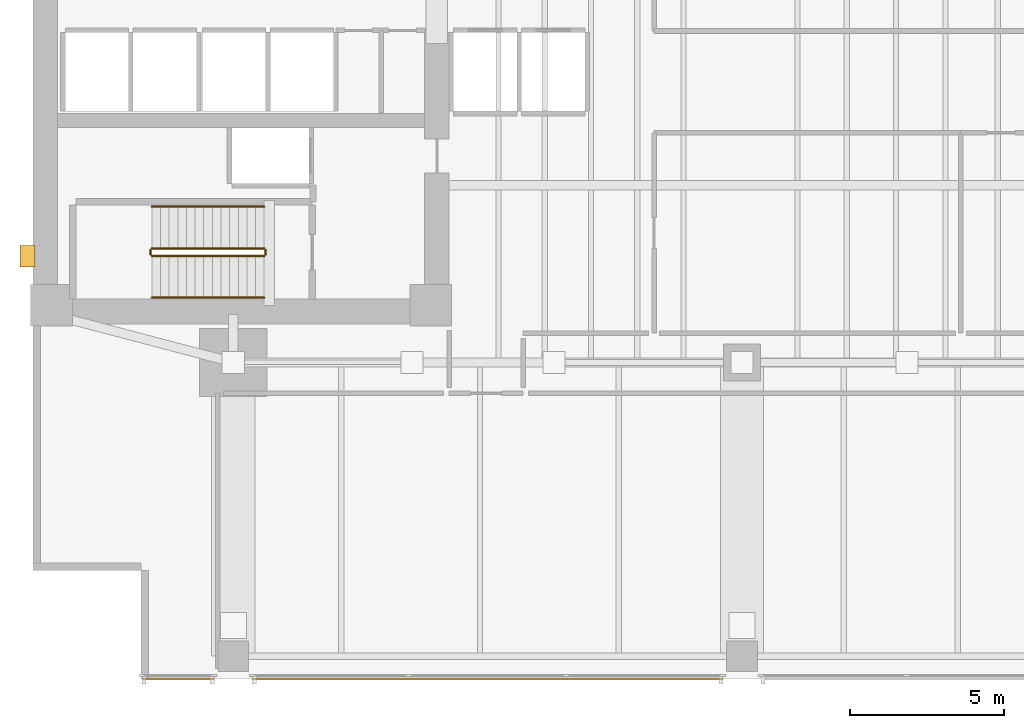
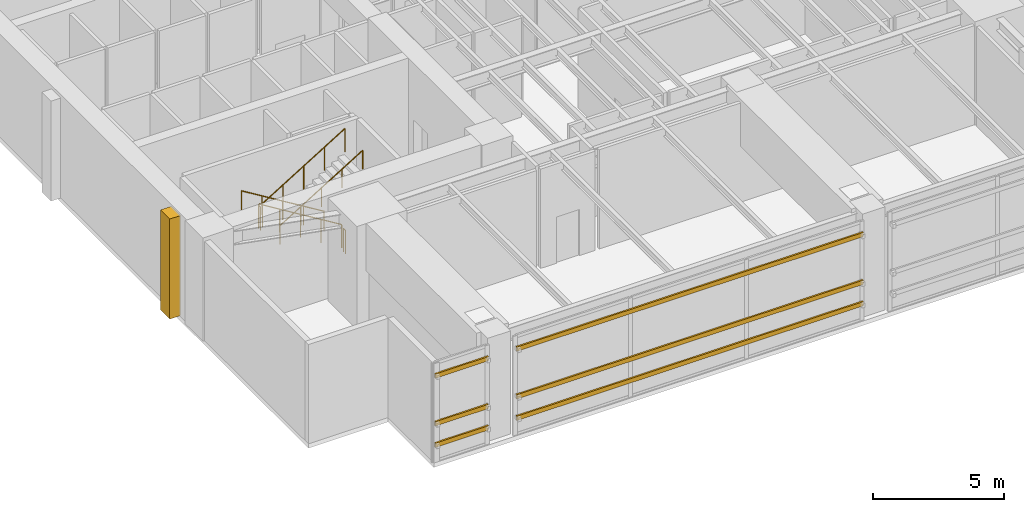
# One storey, part 11 of 14: 6 railings, 6 shading devices, 1 covering.
"""IFC4 building model written with IfcOpenShell, lengths in metres."""

from ifc_helpers import new_model, si_unit, direction, frame, origin, origin_2d, place, context, subcontext, project, spatial, polyline, rectangle, circle, outline, extrude, material, layer, layer_set, material_profile, profile_set, type_object, element, save


model = new_model("IFC4")

# Units and contexts
model_context = context("Model", 3, precision=1e-05, world=origin(), true_north=direction((0.0, 1.0)))
body_context = subcontext(model_context, "Body", "Model", "MODEL_VIEW")
ifc_project = project(units=[si_unit("LENGTHUNIT", "METRE"), si_unit("AREAUNIT", "SQUARE_METRE"), si_unit("VOLUMEUNIT", "CUBIC_METRE"), si_unit("PLANEANGLEUNIT", "RADIAN"), si_unit("MASSUNIT", "GRAM", prefix="KILO")], contexts=[model_context])

# Site, building, storey
site_placement = place(None, origin())
site = spatial("IfcSite", under=ifc_project, at=site_placement, CompositionType="ELEMENT")
building_placement = place(site_placement, origin())
building = spatial("IfcBuilding", under=site, at=building_placement, Name="Kinhvarn Gate Tower", CompositionType="ELEMENT")
storey_placement = place(building_placement, frame((0.0, 0.0, 93.050048828125)))
storey = spatial("IfcBuildingStorey", under=building, at=storey_placement, Name="L24", CompositionType="ELEMENT", Elevation=93.050048828125)

# Covering
ifc_material_1 = material(Name="Precast white architectural concrete C40/50", Category="concrete")
ifc_layer = layer(ifc_material_1, 0.47998046875)
ifc_layer_set = layer_set([ifc_layer], Name="Precast white architectural concrete C40/50")
covering_type = type_object("IfcCoveringType", Name="COV-RIB-450", PredefinedType="CLADDING", material=ifc_layer_set)
covering_placement = place(storey_placement, frame((0.0, 0.0, -0.02001953125)))
element("IfcCovering", 1, at=covering_placement, inside=storey, type_object=covering_type, Name="West Core Sculptural Concrete Relief Rib CRB-450 (L24)", PredefinedType="CLADDING", context=body_context, shape_type="SweptSolid", body=[
    extrude(outline(polyline([(4.080078125, 15.85009765625), (4.56005859375, 15.85009765625), (4.56005859375, 16.550048828125), (4.080078125, 16.550048828125), (4.080078125, 15.85009765625)])), origin(), (0.0, 0.0, 1.0), 4.659912109375),
])

# Railings
ifc_material_2 = material(Name="Steel S355", Category="steel")
railing_type_1 = type_object("IfcRailingType", Name="RL-ST-GRD", PredefinedType="BALUSTRADE", material=ifc_material_2)
railing_1_placement = place(storey_placement, frame((12.0, 16.449951171875, 0.17138671875)))
element("IfcRailing", 2, at=railing_1_placement, inside=storey, type_object=railing_type_1, Name="L24 ST1 stair guard 1", PredefinedType="BALUSTRADE", context=body_context, shape_type="SweptSolid", body=[
    extrude(circle(Radius=0.02392578125, at=origin_2d()), frame((0.0, 0.0, 1.076171875), z_axis=(-0.852850264322, 0.0, 0.5221555579), x_axis=(0.0, -1.0, 0.0)), (0.0, 0.0, 1.0), 4.267822265625),
    extrude(circle(Radius=0.02099609375, at=origin_2d()), origin(), (0.0, 0.0, 1.0), 1.052001953125),
    extrude(circle(Radius=0.02099609375, at=origin_2d()), frame((-0.909912109375, 0.0, 0.55712890625)), (0.0, 0.0, 1.0), 1.052001953125),
    extrude(circle(Radius=0.02099609375, at=origin_2d()), frame((-1.81982421875, 0.0, 1.1142578125)), (0.0, 0.0, 1.0), 1.052001953125),
    extrude(circle(Radius=0.02099609375, at=origin_2d()), frame((-2.72998046875, 0.0, 1.67138671875)), (0.0, 0.0, 1.0), 1.052001953125),
    extrude(circle(Radius=0.02099609375, at=origin_2d()), frame((-3.639892578125, 0.0, 2.228515625)), (0.0, 0.0, 1.0), 1.052001953125),
])
railing_2_placement = place(storey_placement, frame((8.31005859375, 16.39990234375, 2.39990234375)))
element("IfcRailing", 3, at=railing_2_placement, inside=storey, type_object=railing_type_1, Name="L24 ST1 stair guard 2", PredefinedType="BALUSTRADE", context=body_context, shape_type="SweptSolid", body=[
    extrude(circle(Radius=0.02392578125, at=origin_2d()), frame((0.0, 0.0, 1.076171875), z_axis=(0.0, -1.0, 0.0), x_axis=(1.0, 0.0, 0.0)), (0.0, 0.0, 1.0), 0.14990234375),
    extrude(circle(Radius=0.02099609375, at=origin_2d()), origin(), (0.0, 0.0, 1.0), 1.052001953125),
    extrude(circle(Radius=0.02099609375, at=origin_2d()), frame((0.0, -0.14990234375, 0.0)), (0.0, 0.0, 1.0), 1.052001953125),
])
railing_3_placement = place(storey_placement, frame((8.360107421875, 16.199951171875, 2.5712890625)))
element("IfcRailing", 4, at=railing_3_placement, inside=storey, type_object=railing_type_1, Name="L24 ST1 stair guard 3", PredefinedType="BALUSTRADE", context=body_context, shape_type="SweptSolid", body=[
    extrude(circle(Radius=0.02392578125, at=origin_2d()), frame((0.0, 0.0, 1.076171875), z_axis=(0.852824790078, 0.0, 0.522197163366), x_axis=(0.0, 1.0, 0.0)), (0.0, 0.0, 1.0), 4.26806640625),
    extrude(circle(Radius=0.02099609375, at=origin_2d()), origin(), (0.0, 0.0, 1.0), 1.052001953125),
    extrude(circle(Radius=0.02099609375, at=origin_2d()), frame((0.909912109375, 0.0, 0.55712890625)), (0.0, 0.0, 1.0), 1.052001953125),
    extrude(circle(Radius=0.02099609375, at=origin_2d()), frame((1.81982421875, 0.0, 1.1142578125)), (0.0, 0.0, 1.0), 1.052001953125),
    extrude(circle(Radius=0.02099609375, at=origin_2d()), frame((2.72998046875, 0.0, 1.671630859375)), (0.0, 0.0, 1.0), 1.052001953125),
    extrude(circle(Radius=0.02099609375, at=origin_2d()), frame((3.639892578125, 0.0, 2.228759765625)), (0.0, 0.0, 1.0), 1.052001953125),
])
railing_4_placement = place(storey_placement, frame((12.050048828125, 16.39990234375, 0.0)))
element("IfcRailing", 5, at=railing_4_placement, inside=storey, type_object=railing_type_1, Name="L24 ST1 stair guard 4", PredefinedType="BALUSTRADE", context=body_context, shape_type="SweptSolid", body=[
    extrude(circle(Radius=0.02392578125, at=origin_2d()), frame((0.0, 0.0, 1.076171875), z_axis=(0.0, -1.0, 0.0), x_axis=(1.0, 0.0, 0.0)), (0.0, 0.0, 1.0), 0.14990234375),
    extrude(circle(Radius=0.02099609375, at=origin_2d()), origin(), (0.0, 0.0, 1.0), 1.052001953125),
    extrude(circle(Radius=0.02099609375, at=origin_2d()), frame((0.0, -0.14990234375, 0.0)), (0.0, 0.0, 1.0), 1.052001953125),
])
railing_type_2 = type_object("IfcRailingType", Name="RL-ST-HND", PredefinedType="HANDRAIL", material=ifc_material_2)
railing_5_placement = place(storey_placement, frame((12.0, 17.800048828125, 0.17138671875)))
element("IfcRailing", 6, at=railing_5_placement, inside=storey, type_object=railing_type_2, Name="L24 ST1 stair handrail 1", PredefinedType="HANDRAIL", context=body_context, shape_type="SweptSolid", body=[
    extrude(circle(Radius=0.02392578125, at=origin_2d()), frame((0.0, 0.0, 0.8759765625), z_axis=(-0.852850264322, 0.0, 0.5221555579), x_axis=(0.0, -1.0, 0.0)), (0.0, 0.0, 1.0), 4.267822265625),
    extrude(circle(Radius=0.02099609375, at=origin_2d()), origin(), (0.0, 0.0, 1.0), 0.851806640625),
    extrude(circle(Radius=0.02099609375, at=origin_2d()), frame((-0.909912109375, 0.0, 0.55712890625)), (0.0, 0.0, 1.0), 0.851806640625),
    extrude(circle(Radius=0.02099609375, at=origin_2d()), frame((-1.81982421875, 0.0, 1.1142578125)), (0.0, 0.0, 1.0), 0.851806640625),
    extrude(circle(Radius=0.02099609375, at=origin_2d()), frame((-2.72998046875, 0.0, 1.67138671875)), (0.0, 0.0, 1.0), 0.851806640625),
    extrude(circle(Radius=0.02099609375, at=origin_2d()), frame((-3.639892578125, 0.0, 2.228515625)), (0.0, 0.0, 1.0), 0.851806640625),
])
railing_6_placement = place(storey_placement, frame((8.360107421875, 14.85009765625, 2.5712890625)))
element("IfcRailing", 7, at=railing_6_placement, inside=storey, type_object=railing_type_2, Name="L24 ST1 stair handrail 2", PredefinedType="HANDRAIL", context=body_context, shape_type="SweptSolid", body=[
    extrude(circle(Radius=0.02392578125, at=origin_2d()), frame((0.0, 0.0, 0.8759765625), z_axis=(0.852824790078, 0.0, 0.522197163366), x_axis=(0.0, 1.0, 0.0)), (0.0, 0.0, 1.0), 4.26806640625),
    extrude(circle(Radius=0.02099609375, at=origin_2d()), origin(), (0.0, 0.0, 1.0), 0.851806640625),
    extrude(circle(Radius=0.02099609375, at=origin_2d()), frame((0.909912109375, 0.0, 0.55712890625)), (0.0, 0.0, 1.0), 0.851806640625),
    extrude(circle(Radius=0.02099609375, at=origin_2d()), frame((1.81982421875, 0.0, 1.1142578125)), (0.0, 0.0, 1.0), 0.851806640625),
    extrude(circle(Radius=0.02099609375, at=origin_2d()), frame((2.72998046875, 0.0, 1.671630859375)), (0.0, 0.0, 1.0), 0.851806640625),
    extrude(circle(Radius=0.02099609375, at=origin_2d()), frame((3.639892578125, 0.0, 2.228759765625)), (0.0, 0.0, 1.0), 0.851806640625),
])

# Shading devices
ifc_material_3 = material(Name="Anodised aluminium AW-6063", Category="aluminium")
ifc_material_profile = material_profile(ifc_material_3, rectangle(XDim=0.074951171875, YDim=0.199951171875, at=origin_2d()), Name="LOUVRE 75x200")
ifc_profile_set = profile_set([ifc_material_profile], Name="Anodised aluminium AW-6063")
shading_device_type = type_object("IfcShadingDeviceType", Name="SHD-LVR-200", PredefinedType="JALOUSIE", material=ifc_profile_set)
for number, where, z_axis, x_axis, name in (
    (8, (8.0400390625, 2.4775390625, 0.849853515625), (1.0, 0.0, 0.0), (0.0, 1.0, 0.0), "Anodised Aluminium Acoustic Plant Louvre Blade 75x200 mm (L24)"),
    (9, (8.0400390625, 2.4775390625, 1.849853515625), (1.0, 0.0, 0.0), (0.0, 1.0, 0.0), "Anodised Aluminium Acoustic Plant Louvre Blade 75x200 mm (L24)"),
    (10, (8.0400390625, 2.4775390625, 4.070068359375), (1.0, 0.0, 0.0), (0.0, 1.0, 0.0), "Anodised Aluminium Acoustic Plant Louvre Blade 75x200 mm (L24)"),
):
    element("IfcShadingDevice", number, at=place(storey_placement, frame(where, z_axis=z_axis, x_axis=x_axis)), inside=storey, type_object=shading_device_type, Name=name, PredefinedType="JALOUSIE", context=body_context, shape_type="SweptSolid", body=[
        extrude(rectangle(XDim=0.074951171875, YDim=0.199951171875, at=origin_2d()), origin(), (0.0, 0.0, 1.0), 2.33984375),
    ])
for number, where, z_axis, x_axis, name in (
    (11, (11.6201171875, 2.4775390625, 0.849853515625), (1.0, 0.0, 0.0), (0.0, 1.0, 0.0), "Anodised Aluminium Acoustic Plant Louvre Blade 75x200 mm (L24)"),
    (12, (11.6201171875, 2.4775390625, 1.849853515625), (1.0, 0.0, 0.0), (0.0, 1.0, 0.0), "Anodised Aluminium Acoustic Plant Louvre Blade 75x200 mm (L24)"),
    (13, (11.6201171875, 2.4775390625, 4.070068359375), (1.0, 0.0, 0.0), (0.0, 1.0, 0.0), "Anodised Aluminium Acoustic Plant Louvre Blade 75x200 mm (L24)"),
):
    element("IfcShadingDevice", number, at=place(storey_placement, frame(where, z_axis=z_axis, x_axis=x_axis)), inside=storey, type_object=shading_device_type, Name=name, PredefinedType="JALOUSIE", context=body_context, shape_type="SweptSolid", body=[
        extrude(rectangle(XDim=0.074951171875, YDim=0.199951171875, at=origin_2d()), origin(), (0.0, 0.0, 1.0), 15.259765625),
    ])

save(model, "model.ifc")
